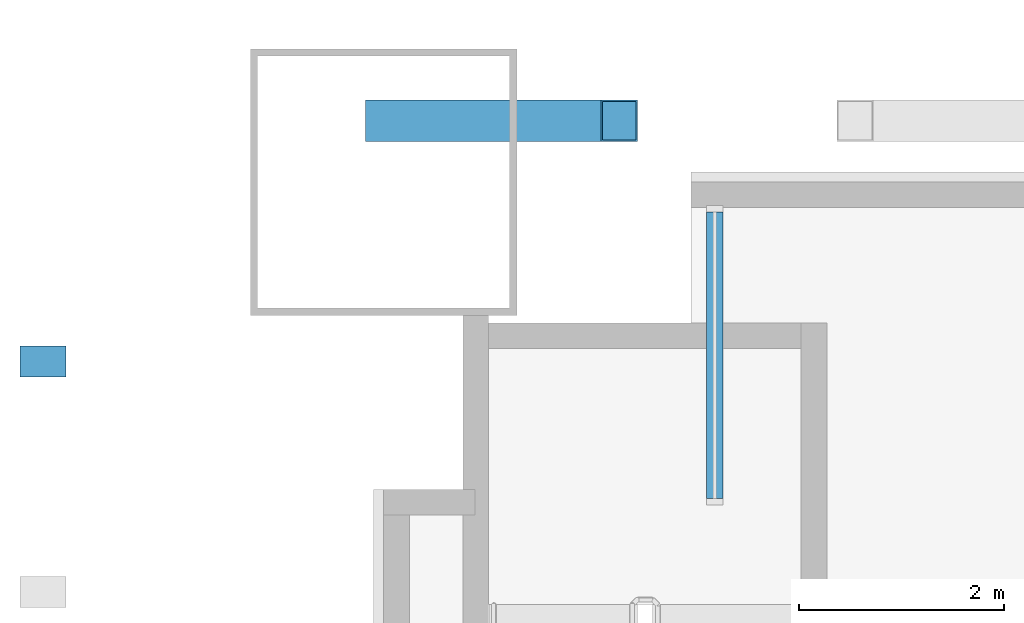
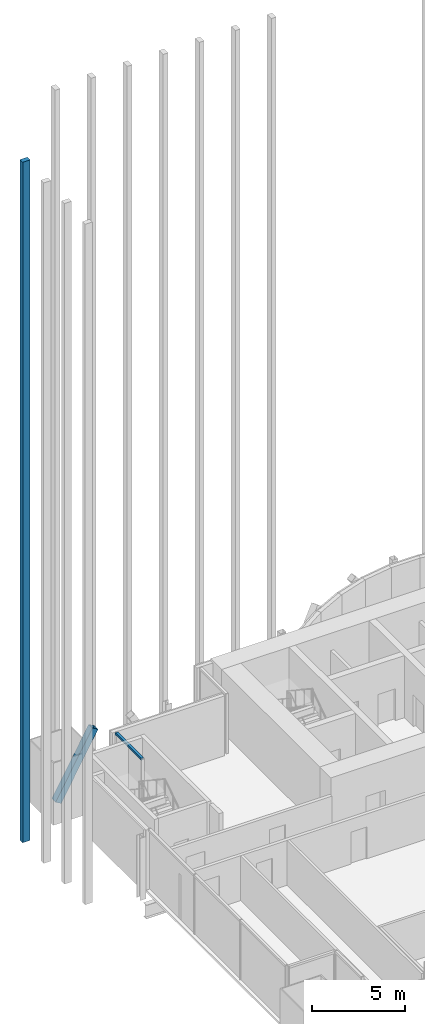
# One storey, part 10 of 29: 3 members, 2 elements without a shape of their own.
"""IFC4 building model written with IfcOpenShell, lengths in metres."""

from ifc_helpers import new_model, si_unit, direction, frame, origin, origin_2d, place, context, subcontext, project, spatial, rectangle, hollow_rectangle, extrude, material, material_profile, profile_set, type_object, element, aggregate, save


model = new_model("IFC4")

# Units and contexts
model_context = context("Model", 3, precision=1e-05, world=origin(), true_north=direction((0.0, 1.0)))
body_context = subcontext(model_context, "Body", "Model", "MODEL_VIEW")
ifc_project = project(units=[si_unit("LENGTHUNIT", "METRE"), si_unit("AREAUNIT", "SQUARE_METRE"), si_unit("VOLUMEUNIT", "CUBIC_METRE"), si_unit("PLANEANGLEUNIT", "RADIAN"), si_unit("MASSUNIT", "GRAM", prefix="KILO")], contexts=[model_context])

# Site, building, storey
site_placement = place(None, origin())
site = spatial("IfcSite", under=ifc_project, at=site_placement, CompositionType="ELEMENT")
building_placement = place(site_placement, origin())
building = spatial("IfcBuilding", under=site, at=building_placement, Name="Bicima Exchange Tower", CompositionType="ELEMENT")
storey_placement = place(building_placement, frame((0.0, 0.0, 190.89990234375)))
storey = spatial("IfcBuildingStorey", under=building, at=storey_placement, Name="L42", CompositionType="ELEMENT", Elevation=190.89990234375)

# Curtain wall, member
ifc_material_1 = material(Name="Anodised bronze aluminium", Category="aluminium")
curtain_wall_type_1 = type_object("IfcCurtainWallType", Name="Front glass wall", PredefinedType="NOTDEFINED", material=ifc_material_1)
curtain_wall_1_placement = place(storey_placement, origin())
curtain_wall_1 = element("IfcCurtainWall", 1, at=curtain_wall_1_placement, inside=storey, type_object=curtain_wall_type_1, Name="Front glass wall L42 run 5", PredefinedType="NOTDEFINED")
ifc_material_profile_1 = material_profile(ifc_material_1, rectangle(XDim=0.159912109375, YDim=0.139892578125, at=origin_2d()))
ifc_profile_set_1 = profile_set([ifc_material_profile_1], Name="Anodised bronze aluminium")
member_type_1 = type_object("IfcMemberType", Name="Front glass wall transom 140 x 160", PredefinedType="USERDEFINED", material=ifc_profile_set_1)
member_1_placement = place(storey_placement, frame((-29.77001953125, -3.2900390625, 3.880126953125), z_axis=(0.0, -1.0, 0.0), x_axis=(1.0, 0.0, 0.0)))
member_1 = element("IfcMember", 2, at=member_1_placement, type_object=member_type_1, Name="Front glass wall transom 1.1", ObjectType="TRANSOM", PredefinedType="USERDEFINED", context=body_context, shape_type="SweptSolid", body=[
    extrude(rectangle(XDim=0.159912109375, YDim=0.139892578125, at=origin_2d()), origin(), (0.0, 0.0, 1.0), 2.800048828125),
])
aggregate(curtain_wall_1, [member_1])

# Member
ifc_material_2 = material(Name="Steel ASTM A572 Gr 50", Category="steel")
ifc_material_profile_2 = material_profile(ifc_material_2, hollow_rectangle(XDim=0.406494140625, YDim=0.406494140625, WallThickness=0.0146484375, at=origin_2d()))
ifc_profile_set_2 = profile_set([ifc_material_profile_2], Name="Steel ASTM A572 Gr 50")
member_type_2 = type_object("IfcMemberType", Name="Mega brace HSS16x16x5/8", PredefinedType="BRACE", material=ifc_profile_set_2)
member_2_placement = place(storey_placement, frame((-33.0, -2.39990234375, 0.0), z_axis=(0.489250010841, 0.0, 0.87214358158), x_axis=(0.0, 1.0, 0.0)))
element("IfcMember", 3, at=member_2_placement, inside=storey, type_object=member_type_2, Name="Mega brace rear", PredefinedType="BRACE", context=body_context, shape_type="SweptSolid", body=[
    extrude(hollow_rectangle(XDim=0.406494140625, YDim=0.406494140625, WallThickness=0.0146484375, at=origin_2d()), origin(), (0.0, 0.0, 1.0), 4.701171875),
])

# Curtain wall, member
curtain_wall_type_2 = type_object("IfcCurtainWallType", Name="Rear blade screen", PredefinedType="NOTDEFINED", material=ifc_material_1)
curtain_wall_2_placement = place(storey_placement, origin())
curtain_wall_2 = element("IfcCurtainWall", 4, at=curtain_wall_2_placement, inside=storey, type_object=curtain_wall_type_2, Name="End blade screen L42-L52", PredefinedType="NOTDEFINED")
ifc_material_profile_3 = material_profile(ifc_material_1, rectangle(XDim=0.449951171875, YDim=0.300048828125, at=origin_2d()))
ifc_profile_set_3 = profile_set([ifc_material_profile_3], Name="Anodised bronze aluminium")
member_type_3 = type_object("IfcMemberType", Name="Rear blade fin 450 x 300", PredefinedType="USERDEFINED", material=ifc_profile_set_3)
member_3_placement = place(storey_placement, frame((-36.324951171875, -4.75, 0.0), z_axis=(0.0, 0.0, 1.0), x_axis=(1.0, 0.0, 0.0)))
member_3 = element("IfcMember", 5, at=member_3_placement, type_object=member_type_3, Name="End blade fin L42-L52 4", ObjectType="FIN", PredefinedType="USERDEFINED", context=body_context, shape_type="SweptSolid", body=[
    extrude(rectangle(XDim=0.449951171875, YDim=0.300048828125, at=origin_2d()), origin(), (0.0, 0.0, 1.0), 44.900146484375),
])
aggregate(curtain_wall_2, [member_3])

save(model, "model.ifc")
